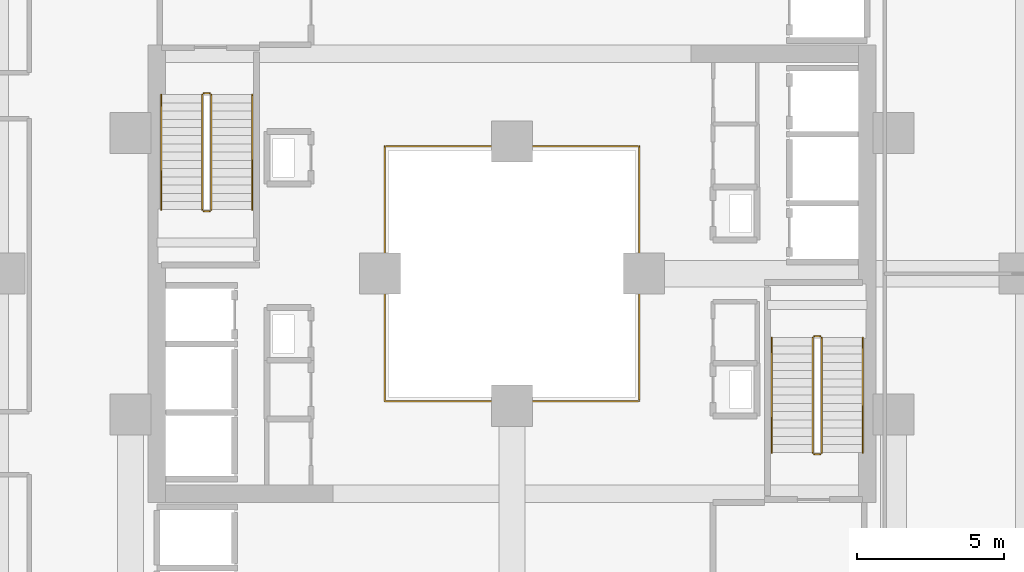
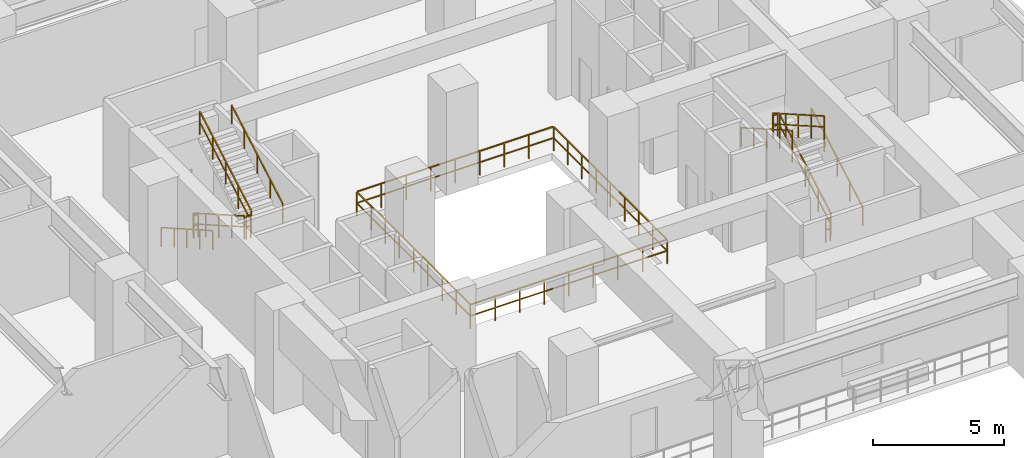
# One storey, part 25 of 25: 13 railings.
"""IFC4 building model written with IfcOpenShell, lengths in metres."""

from ifc_helpers import new_model, si_unit, direction, frame, origin, origin_2d, place, context, subcontext, project, spatial, rectangle, extrude, material, type_object, element, save


model = new_model("IFC4")

# Units and contexts
model_context = context("Model", 3, precision=1e-05, world=origin(), true_north=direction((0.0, 1.0)))
body_context = subcontext(model_context, "Body", "Model", "MODEL_VIEW")
ifc_project = project(units=[si_unit("LENGTHUNIT", "METRE"), si_unit("AREAUNIT", "SQUARE_METRE"), si_unit("VOLUMEUNIT", "CUBIC_METRE"), si_unit("PLANEANGLEUNIT", "RADIAN"), si_unit("MASSUNIT", "GRAM", prefix="KILO")], contexts=[model_context])

# Site, building, storey
site_placement = place(None, origin())
site = spatial("IfcSite", under=ifc_project, at=site_placement, CompositionType="ELEMENT")
building_placement = place(site_placement, origin())
building = spatial("IfcBuilding", under=site, at=building_placement, Name="Thornwick Lancets Civic Towers", CompositionType="ELEMENT")
storey_placement = place(building_placement, frame((0.0, 0.0, 23.10009765625)))
storey = spatial("IfcBuildingStorey", under=building, at=storey_placement, Name="L05", CompositionType="ELEMENT", Elevation=23.10009765625)

# Railings
ifc_material_1 = material(Name="Laminated glass and bronze steel S355", Category="steel")
railing_type_1 = type_object("IfcRailingType", Name="RAIL_ATRIUM_GUARD", PredefinedType="BALUSTRADE", material=ifc_material_1)
railing_1_placement = place(storey_placement, frame((84.159912109375, 22.659912109375, 0.0)))
element("IfcRailing", 1, at=railing_1_placement, inside=storey, type_object=railing_type_1, Name="L05 Tower B Central Atrium Guard Balustrade", PredefinedType="BALUSTRADE", context=body_context, shape_type="SweptSolid", body=[
    extrude(rectangle(XDim=0.048095703125, YDim=0.048095703125, at=origin_2d()), frame((0.0, 0.0, 1.1259765625), z_axis=(1.0, 0.0, 0.0), x_axis=(0.0, 1.0, 0.0)), (0.0, 0.0, 1.0), 8.64892578125),
    extrude(rectangle(XDim=0.0419921875, YDim=0.0419921875, at=origin_2d()), frame((0.03759765625, 0.0, 0.597900390625), z_axis=(1.0, 0.0, 0.0), x_axis=(0.0, 1.0, 0.0)), (0.0, 0.0, 1.0), 1.010009765625),
    extrude(rectangle(XDim=0.0419921875, YDim=0.0419921875, at=origin_2d()), frame((1.12255859375, 0.0, 0.597900390625), z_axis=(1.0, 0.0, 0.0), x_axis=(0.0, 1.0, 0.0)), (0.0, 0.0, 1.0), 1.010009765625),
    extrude(rectangle(XDim=0.0419921875, YDim=0.0419921875, at=origin_2d()), frame((2.20751953125, 0.0, 0.597900390625), z_axis=(1.0, 0.0, 0.0), x_axis=(0.0, 1.0, 0.0)), (0.0, 0.0, 1.0), 1.010009765625),
    extrude(rectangle(XDim=0.0419921875, YDim=0.0419921875, at=origin_2d()), frame((3.29248046875, 0.0, 0.597900390625), z_axis=(1.0, 0.0, 0.0), x_axis=(0.0, 1.0, 0.0)), (0.0, 0.0, 1.0), 1.010009765625),
    extrude(rectangle(XDim=0.0419921875, YDim=0.0419921875, at=origin_2d()), frame((4.377685546875, 0.0, 0.597900390625), z_axis=(1.0, 0.0, 0.0), x_axis=(0.0, 1.0, 0.0)), (0.0, 0.0, 1.0), 1.010009765625),
    extrude(rectangle(XDim=0.0419921875, YDim=0.0419921875, at=origin_2d()), frame((5.462646484375, 0.0, 0.597900390625), z_axis=(1.0, 0.0, 0.0), x_axis=(0.0, 1.0, 0.0)), (0.0, 0.0, 1.0), 1.010009765625),
    extrude(rectangle(XDim=0.0419921875, YDim=0.0419921875, at=origin_2d()), frame((6.547607421875, 0.0, 0.597900390625), z_axis=(1.0, 0.0, 0.0), x_axis=(0.0, 1.0, 0.0)), (0.0, 0.0, 1.0), 1.010009765625),
    extrude(rectangle(XDim=0.0419921875, YDim=0.0419921875, at=origin_2d()), frame((7.632568359375, 0.0, 0.597900390625), z_axis=(1.0, 0.0, 0.0), x_axis=(0.0, 1.0, 0.0)), (0.0, 0.0, 1.0), 1.010009765625),
    extrude(rectangle(XDim=0.048095703125, YDim=0.048095703125, at=origin_2d()), frame((8.68017578125, 0.03125, 1.1259765625), z_axis=(0.0, 1.0, 0.0), x_axis=(-1.0, 0.0, 0.0)), (0.0, 0.0, 1.0), 8.61767578125),
    extrude(rectangle(XDim=0.0419921875, YDim=0.0419921875, at=origin_2d()), frame((8.68017578125, 0.03759765625, 0.597900390625), z_axis=(0.0, 1.0, 0.0), x_axis=(-1.0, 0.0, 0.0)), (0.0, 0.0, 1.0), 1.010009765625),
    extrude(rectangle(XDim=0.0419921875, YDim=0.0419921875, at=origin_2d()), frame((8.68017578125, 1.12255859375, 0.597900390625), z_axis=(0.0, 1.0, 0.0), x_axis=(-1.0, 0.0, 0.0)), (0.0, 0.0, 1.0), 1.010009765625),
    extrude(rectangle(XDim=0.0419921875, YDim=0.0419921875, at=origin_2d()), frame((8.68017578125, 2.20751953125, 0.597900390625), z_axis=(0.0, 1.0, 0.0), x_axis=(-1.0, 0.0, 0.0)), (0.0, 0.0, 1.0), 1.010009765625),
    extrude(rectangle(XDim=0.0419921875, YDim=0.0419921875, at=origin_2d()), frame((8.68017578125, 3.29248046875, 0.597900390625), z_axis=(0.0, 1.0, 0.0), x_axis=(-1.0, 0.0, 0.0)), (0.0, 0.0, 1.0), 1.010009765625),
    extrude(rectangle(XDim=0.0419921875, YDim=0.0419921875, at=origin_2d()), frame((8.68017578125, 4.377685546875, 0.597900390625), z_axis=(0.0, 1.0, 0.0), x_axis=(-1.0, 0.0, 0.0)), (0.0, 0.0, 1.0), 1.010009765625),
    extrude(rectangle(XDim=0.0419921875, YDim=0.0419921875, at=origin_2d()), frame((8.68017578125, 5.462646484375, 0.597900390625), z_axis=(0.0, 1.0, 0.0), x_axis=(-1.0, 0.0, 0.0)), (0.0, 0.0, 1.0), 1.010009765625),
    extrude(rectangle(XDim=0.0419921875, YDim=0.0419921875, at=origin_2d()), frame((8.68017578125, 6.547607421875, 0.597900390625), z_axis=(0.0, 1.0, 0.0), x_axis=(-1.0, 0.0, 0.0)), (0.0, 0.0, 1.0), 1.010009765625),
    extrude(rectangle(XDim=0.0419921875, YDim=0.0419921875, at=origin_2d()), frame((8.68017578125, 7.632568359375, 0.597900390625), z_axis=(0.0, 1.0, 0.0), x_axis=(-1.0, 0.0, 0.0)), (0.0, 0.0, 1.0), 1.010009765625),
    extrude(rectangle(XDim=0.048095703125, YDim=0.048095703125, at=origin_2d()), frame((8.64892578125, 8.68017578125, 1.1259765625), z_axis=(-1.0, 0.0, 0.0), x_axis=(0.0, -1.0, 0.0)), (0.0, 0.0, 1.0), 8.61767578125),
    extrude(rectangle(XDim=0.0419921875, YDim=0.0419921875, at=origin_2d()), frame((8.642578125, 8.68017578125, 0.597900390625), z_axis=(-1.0, 0.0, 0.0), x_axis=(0.0, -1.0, 0.0)), (0.0, 0.0, 1.0), 1.010009765625),
    extrude(rectangle(XDim=0.0419921875, YDim=0.0419921875, at=origin_2d()), frame((7.5576171875, 8.68017578125, 0.597900390625), z_axis=(-1.0, 0.0, 0.0), x_axis=(0.0, -1.0, 0.0)), (0.0, 0.0, 1.0), 1.010009765625),
    extrude(rectangle(XDim=0.0419921875, YDim=0.0419921875, at=origin_2d()), frame((6.47265625, 8.68017578125, 0.597900390625), z_axis=(-1.0, 0.0, 0.0), x_axis=(0.0, -1.0, 0.0)), (0.0, 0.0, 1.0), 1.010009765625),
    extrude(rectangle(XDim=0.0419921875, YDim=0.0419921875, at=origin_2d()), frame((5.3876953125, 8.68017578125, 0.597900390625), z_axis=(-1.0, 0.0, 0.0), x_axis=(0.0, -1.0, 0.0)), (0.0, 0.0, 1.0), 1.010009765625),
    extrude(rectangle(XDim=0.0419921875, YDim=0.0419921875, at=origin_2d()), frame((4.302490234375, 8.68017578125, 0.597900390625), z_axis=(-1.0, 0.0, 0.0), x_axis=(0.0, -1.0, 0.0)), (0.0, 0.0, 1.0), 1.010009765625),
    extrude(rectangle(XDim=0.0419921875, YDim=0.0419921875, at=origin_2d()), frame((3.217529296875, 8.68017578125, 0.597900390625), z_axis=(-1.0, 0.0, 0.0), x_axis=(0.0, -1.0, 0.0)), (0.0, 0.0, 1.0), 1.010009765625),
    extrude(rectangle(XDim=0.0419921875, YDim=0.0419921875, at=origin_2d()), frame((2.132568359375, 8.68017578125, 0.597900390625), z_axis=(-1.0, 0.0, 0.0), x_axis=(0.0, -1.0, 0.0)), (0.0, 0.0, 1.0), 1.010009765625),
    extrude(rectangle(XDim=0.0419921875, YDim=0.0419921875, at=origin_2d()), frame((1.047607421875, 8.68017578125, 0.597900390625), z_axis=(-1.0, 0.0, 0.0), x_axis=(0.0, -1.0, 0.0)), (0.0, 0.0, 1.0), 1.010009765625),
    extrude(rectangle(XDim=0.048095703125, YDim=0.048095703125, at=origin_2d()), frame((0.0, 8.64892578125, 1.1259765625), z_axis=(0.0, -1.0, 0.0), x_axis=(1.0, 0.0, 0.0)), (0.0, 0.0, 1.0), 8.64892578125),
    extrude(rectangle(XDim=0.0419921875, YDim=0.0419921875, at=origin_2d()), frame((0.0, 8.642578125, 0.597900390625), z_axis=(0.0, -1.0, 0.0), x_axis=(1.0, 0.0, 0.0)), (0.0, 0.0, 1.0), 1.010009765625),
    extrude(rectangle(XDim=0.0419921875, YDim=0.0419921875, at=origin_2d()), frame((0.0, 7.5576171875, 0.597900390625), z_axis=(0.0, -1.0, 0.0), x_axis=(1.0, 0.0, 0.0)), (0.0, 0.0, 1.0), 1.010009765625),
    extrude(rectangle(XDim=0.0419921875, YDim=0.0419921875, at=origin_2d()), frame((0.0, 6.47265625, 0.597900390625), z_axis=(0.0, -1.0, 0.0), x_axis=(1.0, 0.0, 0.0)), (0.0, 0.0, 1.0), 1.010009765625),
    extrude(rectangle(XDim=0.0419921875, YDim=0.0419921875, at=origin_2d()), frame((0.0, 5.3876953125, 0.597900390625), z_axis=(0.0, -1.0, 0.0), x_axis=(1.0, 0.0, 0.0)), (0.0, 0.0, 1.0), 1.010009765625),
    extrude(rectangle(XDim=0.0419921875, YDim=0.0419921875, at=origin_2d()), frame((0.0, 4.302490234375, 0.597900390625), z_axis=(0.0, -1.0, 0.0), x_axis=(1.0, 0.0, 0.0)), (0.0, 0.0, 1.0), 1.010009765625),
    extrude(rectangle(XDim=0.0419921875, YDim=0.0419921875, at=origin_2d()), frame((0.0, 3.217529296875, 0.597900390625), z_axis=(0.0, -1.0, 0.0), x_axis=(1.0, 0.0, 0.0)), (0.0, 0.0, 1.0), 1.010009765625),
    extrude(rectangle(XDim=0.0419921875, YDim=0.0419921875, at=origin_2d()), frame((0.0, 2.132568359375, 0.597900390625), z_axis=(0.0, -1.0, 0.0), x_axis=(1.0, 0.0, 0.0)), (0.0, 0.0, 1.0), 1.010009765625),
    extrude(rectangle(XDim=0.0419921875, YDim=0.0419921875, at=origin_2d()), frame((0.0, 1.047607421875, 0.597900390625), z_axis=(0.0, -1.0, 0.0), x_axis=(1.0, 0.0, 0.0)), (0.0, 0.0, 1.0), 1.010009765625),
    extrude(rectangle(XDim=0.0419921875, YDim=0.0419921875, at=origin_2d()), origin(), (0.0, 0.0, 1.0), 1.095703125),
    extrude(rectangle(XDim=0.0419921875, YDim=0.0419921875, at=origin_2d()), frame((1.0849609375, 0.0, 0.0)), (0.0, 0.0, 1.0), 1.095703125),
    extrude(rectangle(XDim=0.0419921875, YDim=0.0419921875, at=origin_2d()), frame((2.169921875, 0.0, 0.0)), (0.0, 0.0, 1.0), 1.095703125),
    extrude(rectangle(XDim=0.0419921875, YDim=0.0419921875, at=origin_2d()), frame((3.255126953125, 0.0, 0.0)), (0.0, 0.0, 1.0), 1.095703125),
    extrude(rectangle(XDim=0.0419921875, YDim=0.0419921875, at=origin_2d()), frame((4.340087890625, 0.0, 0.0)), (0.0, 0.0, 1.0), 1.095703125),
    extrude(rectangle(XDim=0.0419921875, YDim=0.0419921875, at=origin_2d()), frame((5.425048828125, 0.0, 0.0)), (0.0, 0.0, 1.0), 1.095703125),
    extrude(rectangle(XDim=0.0419921875, YDim=0.0419921875, at=origin_2d()), frame((6.51025390625, 0.0, 0.0)), (0.0, 0.0, 1.0), 1.095703125),
    extrude(rectangle(XDim=0.0419921875, YDim=0.0419921875, at=origin_2d()), frame((7.59521484375, 0.0, 0.0)), (0.0, 0.0, 1.0), 1.095703125),
    extrude(rectangle(XDim=0.0419921875, YDim=0.0419921875, at=origin_2d()), frame((8.68017578125, 0.0, 0.0)), (0.0, 0.0, 1.0), 1.095703125),
    extrude(rectangle(XDim=0.0419921875, YDim=0.0419921875, at=origin_2d()), frame((8.68017578125, 1.0849609375, 0.0)), (0.0, 0.0, 1.0), 1.095703125),
    extrude(rectangle(XDim=0.0419921875, YDim=0.0419921875, at=origin_2d()), frame((8.68017578125, 2.169921875, 0.0)), (0.0, 0.0, 1.0), 1.095703125),
    extrude(rectangle(XDim=0.0419921875, YDim=0.0419921875, at=origin_2d()), frame((8.68017578125, 3.255126953125, 0.0)), (0.0, 0.0, 1.0), 1.095703125),
    extrude(rectangle(XDim=0.0419921875, YDim=0.0419921875, at=origin_2d()), frame((8.68017578125, 4.340087890625, 0.0)), (0.0, 0.0, 1.0), 1.095703125),
    extrude(rectangle(XDim=0.0419921875, YDim=0.0419921875, at=origin_2d()), frame((8.68017578125, 5.425048828125, 0.0)), (0.0, 0.0, 1.0), 1.095703125),
    extrude(rectangle(XDim=0.0419921875, YDim=0.0419921875, at=origin_2d()), frame((8.68017578125, 6.51025390625, 0.0)), (0.0, 0.0, 1.0), 1.095703125),
    extrude(rectangle(XDim=0.0419921875, YDim=0.0419921875, at=origin_2d()), frame((8.68017578125, 7.59521484375, 0.0)), (0.0, 0.0, 1.0), 1.095703125),
    extrude(rectangle(XDim=0.0419921875, YDim=0.0419921875, at=origin_2d()), frame((8.68017578125, 8.68017578125, 0.0)), (0.0, 0.0, 1.0), 1.095703125),
    extrude(rectangle(XDim=0.0419921875, YDim=0.0419921875, at=origin_2d()), frame((7.59521484375, 8.68017578125, 0.0)), (0.0, 0.0, 1.0), 1.095703125),
    extrude(rectangle(XDim=0.0419921875, YDim=0.0419921875, at=origin_2d()), frame((6.51025390625, 8.68017578125, 0.0)), (0.0, 0.0, 1.0), 1.095703125),
    extrude(rectangle(XDim=0.0419921875, YDim=0.0419921875, at=origin_2d()), frame((5.425048828125, 8.68017578125, 0.0)), (0.0, 0.0, 1.0), 1.095703125),
    extrude(rectangle(XDim=0.0419921875, YDim=0.0419921875, at=origin_2d()), frame((4.340087890625, 8.68017578125, 0.0)), (0.0, 0.0, 1.0), 1.095703125),
    extrude(rectangle(XDim=0.0419921875, YDim=0.0419921875, at=origin_2d()), frame((3.255126953125, 8.68017578125, 0.0)), (0.0, 0.0, 1.0), 1.095703125),
    extrude(rectangle(XDim=0.0419921875, YDim=0.0419921875, at=origin_2d()), frame((2.169921875, 8.68017578125, 0.0)), (0.0, 0.0, 1.0), 1.095703125),
    extrude(rectangle(XDim=0.0419921875, YDim=0.0419921875, at=origin_2d()), frame((1.0849609375, 8.68017578125, 0.0)), (0.0, 0.0, 1.0), 1.095703125),
    extrude(rectangle(XDim=0.0419921875, YDim=0.0419921875, at=origin_2d()), frame((0.0, 8.68017578125, 0.0)), (0.0, 0.0, 1.0), 1.095703125),
    extrude(rectangle(XDim=0.0419921875, YDim=0.0419921875, at=origin_2d()), frame((0.0, 7.59521484375, 0.0)), (0.0, 0.0, 1.0), 1.095703125),
    extrude(rectangle(XDim=0.0419921875, YDim=0.0419921875, at=origin_2d()), frame((0.0, 6.51025390625, 0.0)), (0.0, 0.0, 1.0), 1.095703125),
    extrude(rectangle(XDim=0.0419921875, YDim=0.0419921875, at=origin_2d()), frame((0.0, 5.425048828125, 0.0)), (0.0, 0.0, 1.0), 1.095703125),
    extrude(rectangle(XDim=0.0419921875, YDim=0.0419921875, at=origin_2d()), frame((0.0, 4.340087890625, 0.0)), (0.0, 0.0, 1.0), 1.095703125),
    extrude(rectangle(XDim=0.0419921875, YDim=0.0419921875, at=origin_2d()), frame((0.0, 3.255126953125, 0.0)), (0.0, 0.0, 1.0), 1.095703125),
    extrude(rectangle(XDim=0.0419921875, YDim=0.0419921875, at=origin_2d()), frame((0.0, 2.169921875, 0.0)), (0.0, 0.0, 1.0), 1.095703125),
    extrude(rectangle(XDim=0.0419921875, YDim=0.0419921875, at=origin_2d()), frame((0.0, 1.0849609375, 0.0)), (0.0, 0.0, 1.0), 1.095703125),
])
ifc_material_2 = material(Name="Brushed stainless steel S355", Category="steel")
railing_type_2 = type_object("IfcRailingType", Name="RAIL_HANDRAIL", PredefinedType="HANDRAIL", material=ifc_material_2)
railing_2_placement = place(storey_placement, frame((100.449951171875, 20.89990234375, 0.159912109375)))
element("IfcRailing", 2, at=railing_2_placement, inside=storey, type_object=railing_type_2, Name="L05 ST-B1 stair handrail 1", PredefinedType="HANDRAIL", context=body_context, shape_type="SweptSolid", body=[
    extrude(rectangle(XDim=0.048095703125, YDim=0.048095703125, at=origin_2d()), frame((0.0, 0.0, 0.8857421875), z_axis=(0.0, 0.86825312469, 0.496121468458), x_axis=(-1.0, 0.0, 0.0)), (0.0, 0.0, 1.0), 4.514892578125),
    extrude(rectangle(XDim=0.0419921875, YDim=0.0419921875, at=origin_2d()), origin(), (0.0, 0.0, 1.0), 0.855712890625),
    extrude(rectangle(XDim=0.0419921875, YDim=0.0419921875, at=origin_2d()), frame((0.0, 0.97998046875, 0.56005859375)), (0.0, 0.0, 1.0), 0.855712890625),
    extrude(rectangle(XDim=0.0419921875, YDim=0.0419921875, at=origin_2d()), frame((0.0, 1.9599609375, 1.1201171875)), (0.0, 0.0, 1.0), 0.855712890625),
    extrude(rectangle(XDim=0.0419921875, YDim=0.0419921875, at=origin_2d()), frame((0.0, 2.940185546875, 1.679931640625)), (0.0, 0.0, 1.0), 0.855712890625),
    extrude(rectangle(XDim=0.0419921875, YDim=0.0419921875, at=origin_2d()), frame((0.0, 3.920166015625, 2.239990234375)), (0.0, 0.0, 1.0), 0.855712890625),
])
for number, where, name in (
    (3, (97.35009765625, 24.820068359375, 2.559814453125), "L05 ST-B1 stair handrail 2"),
    (4, (76.550048828125, 33.10009765625, 0.159912109375), "L05 ST-B2 stair handrail 1"),
):
    element("IfcRailing", number, at=place(storey_placement, frame(where)), inside=storey, type_object=railing_type_2, Name=name, PredefinedType="HANDRAIL", context=body_context, shape_type="SweptSolid", body=[
        extrude(rectangle(XDim=0.048095703125, YDim=0.048095703125, at=origin_2d()), frame((0.0, 0.0, 0.8857421875), z_axis=(0.0, -0.86825312469, 0.496121468458), x_axis=(1.0, 0.0, 0.0)), (0.0, 0.0, 1.0), 4.514892578125),
        extrude(rectangle(XDim=0.0419921875, YDim=0.0419921875, at=origin_2d()), origin(), (0.0, 0.0, 1.0), 0.855712890625),
        extrude(rectangle(XDim=0.0419921875, YDim=0.0419921875, at=origin_2d()), frame((0.0, -0.97998046875, 0.56005859375)), (0.0, 0.0, 1.0), 0.855712890625),
        extrude(rectangle(XDim=0.0419921875, YDim=0.0419921875, at=origin_2d()), frame((0.0, -1.9599609375, 1.1201171875)), (0.0, 0.0, 1.0), 0.855712890625),
        extrude(rectangle(XDim=0.0419921875, YDim=0.0419921875, at=origin_2d()), frame((0.0, -2.940185546875, 1.679931640625)), (0.0, 0.0, 1.0), 0.855712890625),
        extrude(rectangle(XDim=0.0419921875, YDim=0.0419921875, at=origin_2d()), frame((0.0, -3.920166015625, 2.239990234375)), (0.0, 0.0, 1.0), 0.855712890625),
    ])
railing_3_placement = place(storey_placement, frame((79.64990234375, 29.179931640625, 2.559814453125)))
element("IfcRailing", 5, at=railing_3_placement, inside=storey, type_object=railing_type_2, Name="L05 ST-B2 stair handrail 2", PredefinedType="HANDRAIL", context=body_context, shape_type="SweptSolid", body=[
    extrude(rectangle(XDim=0.048095703125, YDim=0.048095703125, at=origin_2d()), frame((0.0, 0.0, 0.8857421875), z_axis=(0.0, 0.86825312469, 0.496121468458), x_axis=(-1.0, 0.0, 0.0)), (0.0, 0.0, 1.0), 4.514892578125),
    extrude(rectangle(XDim=0.0419921875, YDim=0.0419921875, at=origin_2d()), origin(), (0.0, 0.0, 1.0), 0.855712890625),
    extrude(rectangle(XDim=0.0419921875, YDim=0.0419921875, at=origin_2d()), frame((0.0, 0.97998046875, 0.56005859375)), (0.0, 0.0, 1.0), 0.855712890625),
    extrude(rectangle(XDim=0.0419921875, YDim=0.0419921875, at=origin_2d()), frame((0.0, 1.9599609375, 1.1201171875)), (0.0, 0.0, 1.0), 0.855712890625),
    extrude(rectangle(XDim=0.0419921875, YDim=0.0419921875, at=origin_2d()), frame((0.0, 2.940185546875, 1.679931640625)), (0.0, 0.0, 1.0), 0.855712890625),
    extrude(rectangle(XDim=0.0419921875, YDim=0.0419921875, at=origin_2d()), frame((0.0, 3.920166015625, 2.239990234375)), (0.0, 0.0, 1.0), 0.855712890625),
])
ifc_material_3 = material(Name="Steel S355JR", Category="steel")
railing_type_3 = type_object("IfcRailingType", Name="RAIL_STAIR_GUARD", PredefinedType="GUARDRAIL", material=ifc_material_3)
railing_4_placement = place(storey_placement, frame((99.050048828125, 20.89990234375, 0.159912109375)))
element("IfcRailing", 6, at=railing_4_placement, inside=storey, type_object=railing_type_3, Name="L05 ST-B1 stair guard 1", PredefinedType="GUARDRAIL", context=body_context, shape_type="SweptSolid", body=[
    extrude(rectangle(XDim=0.048095703125, YDim=0.048095703125, at=origin_2d()), frame((0.0, 0.0, 1.076171875), z_axis=(0.0, 0.86825312469, 0.496121468458), x_axis=(-1.0, 0.0, 0.0)), (0.0, 0.0, 1.0), 4.514892578125),
    extrude(rectangle(XDim=0.0419921875, YDim=0.0419921875, at=origin_2d()), frame((0.0, 0.032470703125, 0.590576171875), z_axis=(0.0, 0.86825312469, 0.496121468458), x_axis=(-1.0, 0.0, 0.0)), (0.0, 0.0, 1.0), 1.0537109375),
    extrude(rectangle(XDim=0.0419921875, YDim=0.0419921875, at=origin_2d()), frame((0.0, 1.0126953125, 1.150634765625), z_axis=(0.0, 0.86825312469, 0.496121468458), x_axis=(-1.0, 0.0, 0.0)), (0.0, 0.0, 1.0), 1.0537109375),
    extrude(rectangle(XDim=0.0419921875, YDim=0.0419921875, at=origin_2d()), frame((0.0, 1.99267578125, 1.710693359375), z_axis=(0.0, 0.86825312469, 0.496121468458), x_axis=(-1.0, 0.0, 0.0)), (0.0, 0.0, 1.0), 1.0537109375),
    extrude(rectangle(XDim=0.0419921875, YDim=0.0419921875, at=origin_2d()), frame((0.0, 2.97265625, 2.270751953125), z_axis=(0.0, 0.86825312469, 0.496121468458), x_axis=(-1.0, 0.0, 0.0)), (0.0, 0.0, 1.0), 1.0537109375),
    extrude(rectangle(XDim=0.0419921875, YDim=0.0419921875, at=origin_2d()), origin(), (0.0, 0.0, 1.0), 1.0458984375),
    extrude(rectangle(XDim=0.0419921875, YDim=0.0419921875, at=origin_2d()), frame((0.0, 0.97998046875, 0.56005859375)), (0.0, 0.0, 1.0), 1.0458984375),
    extrude(rectangle(XDim=0.0419921875, YDim=0.0419921875, at=origin_2d()), frame((0.0, 1.9599609375, 1.1201171875)), (0.0, 0.0, 1.0), 1.0458984375),
    extrude(rectangle(XDim=0.0419921875, YDim=0.0419921875, at=origin_2d()), frame((0.0, 2.940185546875, 1.679931640625)), (0.0, 0.0, 1.0), 1.0458984375),
    extrude(rectangle(XDim=0.0419921875, YDim=0.0419921875, at=origin_2d()), frame((0.0, 3.920166015625, 2.239990234375)), (0.0, 0.0, 1.0), 1.0458984375),
])
railing_5_placement = place(storey_placement, frame((99.0, 24.8701171875, 2.39990234375)))
element("IfcRailing", 7, at=railing_5_placement, inside=storey, type_object=railing_type_3, Name="L05 ST-B1 stair guard 2", PredefinedType="GUARDRAIL", context=body_context, shape_type="SweptSolid", body=[
    extrude(rectangle(XDim=0.048095703125, YDim=0.048095703125, at=origin_2d()), frame((0.0, 0.0, 1.076171875), z_axis=(-1.0, 0.0, 0.0), x_axis=(0.0, -1.0, 0.0)), (0.0, 0.0, 1.0), 0.199951171875),
    extrude(rectangle(XDim=0.0419921875, YDim=0.0419921875, at=origin_2d()), frame((-0.03759765625, 0.0, 0.572021484375), z_axis=(-1.0, 0.0, 0.0), x_axis=(0.0, -1.0, 0.0)), (0.0, 0.0, 1.0), 0.125),
    extrude(rectangle(XDim=0.0419921875, YDim=0.0419921875, at=origin_2d()), origin(), (0.0, 0.0, 1.0), 1.0458984375),
    extrude(rectangle(XDim=0.0419921875, YDim=0.0419921875, at=origin_2d()), frame((-0.199951171875, 0.0, 0.0)), (0.0, 0.0, 1.0), 1.0458984375),
])
railing_6_placement = place(storey_placement, frame((98.75, 24.820068359375, 2.559814453125)))
element("IfcRailing", 8, at=railing_6_placement, inside=storey, type_object=railing_type_3, Name="L05 ST-B1 stair guard 3", PredefinedType="GUARDRAIL", context=body_context, shape_type="SweptSolid", body=[
    extrude(rectangle(XDim=0.048095703125, YDim=0.048095703125, at=origin_2d()), frame((0.0, 0.0, 1.076171875), z_axis=(0.0, -0.86825312469, 0.496121468458), x_axis=(1.0, 0.0, 0.0)), (0.0, 0.0, 1.0), 4.514892578125),
    extrude(rectangle(XDim=0.0419921875, YDim=0.0419921875, at=origin_2d()), frame((0.0, -0.032470703125, 0.590576171875), z_axis=(0.0, -0.86825312469, 0.496121468458), x_axis=(1.0, 0.0, 0.0)), (0.0, 0.0, 1.0), 1.0537109375),
    extrude(rectangle(XDim=0.0419921875, YDim=0.0419921875, at=origin_2d()), frame((0.0, -1.0126953125, 1.150634765625), z_axis=(0.0, -0.86825312469, 0.496121468458), x_axis=(1.0, 0.0, 0.0)), (0.0, 0.0, 1.0), 1.0537109375),
    extrude(rectangle(XDim=0.0419921875, YDim=0.0419921875, at=origin_2d()), frame((0.0, -1.99267578125, 1.710693359375), z_axis=(0.0, -0.86825312469, 0.496121468458), x_axis=(1.0, 0.0, 0.0)), (0.0, 0.0, 1.0), 1.0537109375),
    extrude(rectangle(XDim=0.0419921875, YDim=0.0419921875, at=origin_2d()), frame((0.0, -2.97265625, 2.270751953125), z_axis=(0.0, -0.86825312469, 0.496121468458), x_axis=(1.0, 0.0, 0.0)), (0.0, 0.0, 1.0), 1.0537109375),
    extrude(rectangle(XDim=0.0419921875, YDim=0.0419921875, at=origin_2d()), origin(), (0.0, 0.0, 1.0), 1.0458984375),
    extrude(rectangle(XDim=0.0419921875, YDim=0.0419921875, at=origin_2d()), frame((0.0, -0.97998046875, 0.56005859375)), (0.0, 0.0, 1.0), 1.0458984375),
    extrude(rectangle(XDim=0.0419921875, YDim=0.0419921875, at=origin_2d()), frame((0.0, -1.9599609375, 1.1201171875)), (0.0, 0.0, 1.0), 1.0458984375),
    extrude(rectangle(XDim=0.0419921875, YDim=0.0419921875, at=origin_2d()), frame((0.0, -2.940185546875, 1.679931640625)), (0.0, 0.0, 1.0), 1.0458984375),
    extrude(rectangle(XDim=0.0419921875, YDim=0.0419921875, at=origin_2d()), frame((0.0, -3.920166015625, 2.239990234375)), (0.0, 0.0, 1.0), 1.0458984375),
])
railing_7_placement = place(storey_placement, frame((99.0, 20.85009765625, 0.0)))
element("IfcRailing", 9, at=railing_7_placement, inside=storey, type_object=railing_type_3, Name="L05 ST-B1 stair guard 4", PredefinedType="GUARDRAIL", context=body_context, shape_type="SweptSolid", body=[
    extrude(rectangle(XDim=0.048095703125, YDim=0.048095703125, at=origin_2d()), frame((0.0, 0.0, 1.076171875), z_axis=(-1.0, 0.0, 0.0), x_axis=(0.0, -1.0, 0.0)), (0.0, 0.0, 1.0), 0.199951171875),
    extrude(rectangle(XDim=0.0419921875, YDim=0.0419921875, at=origin_2d()), frame((-0.03759765625, 0.0, 0.572021484375), z_axis=(-1.0, 0.0, 0.0), x_axis=(0.0, -1.0, 0.0)), (0.0, 0.0, 1.0), 0.125),
    extrude(rectangle(XDim=0.0419921875, YDim=0.0419921875, at=origin_2d()), origin(), (0.0, 0.0, 1.0), 1.0458984375),
    extrude(rectangle(XDim=0.0419921875, YDim=0.0419921875, at=origin_2d()), frame((-0.199951171875, 0.0, 0.0)), (0.0, 0.0, 1.0), 1.0458984375),
])
railing_8_placement = place(storey_placement, frame((77.949951171875, 33.10009765625, 0.159912109375)))
element("IfcRailing", 10, at=railing_8_placement, inside=storey, type_object=railing_type_3, Name="L05 ST-B2 stair guard 1", PredefinedType="GUARDRAIL", context=body_context, shape_type="SweptSolid", body=[
    extrude(rectangle(XDim=0.048095703125, YDim=0.048095703125, at=origin_2d()), frame((0.0, 0.0, 1.076171875), z_axis=(0.0, -0.86825312469, 0.496121468458), x_axis=(1.0, 0.0, 0.0)), (0.0, 0.0, 1.0), 4.514892578125),
    extrude(rectangle(XDim=0.0419921875, YDim=0.0419921875, at=origin_2d()), frame((0.0, -0.032470703125, 0.590576171875), z_axis=(0.0, -0.86825312469, 0.496121468458), x_axis=(1.0, 0.0, 0.0)), (0.0, 0.0, 1.0), 1.0537109375),
    extrude(rectangle(XDim=0.0419921875, YDim=0.0419921875, at=origin_2d()), frame((0.0, -1.0126953125, 1.150634765625), z_axis=(0.0, -0.86825312469, 0.496121468458), x_axis=(1.0, 0.0, 0.0)), (0.0, 0.0, 1.0), 1.0537109375),
    extrude(rectangle(XDim=0.0419921875, YDim=0.0419921875, at=origin_2d()), frame((0.0, -1.99267578125, 1.710693359375), z_axis=(0.0, -0.86825312469, 0.496121468458), x_axis=(1.0, 0.0, 0.0)), (0.0, 0.0, 1.0), 1.0537109375),
    extrude(rectangle(XDim=0.0419921875, YDim=0.0419921875, at=origin_2d()), frame((0.0, -2.97265625, 2.270751953125), z_axis=(0.0, -0.86825312469, 0.496121468458), x_axis=(1.0, 0.0, 0.0)), (0.0, 0.0, 1.0), 1.0537109375),
    extrude(rectangle(XDim=0.0419921875, YDim=0.0419921875, at=origin_2d()), origin(), (0.0, 0.0, 1.0), 1.0458984375),
    extrude(rectangle(XDim=0.0419921875, YDim=0.0419921875, at=origin_2d()), frame((0.0, -0.97998046875, 0.56005859375)), (0.0, 0.0, 1.0), 1.0458984375),
    extrude(rectangle(XDim=0.0419921875, YDim=0.0419921875, at=origin_2d()), frame((0.0, -1.9599609375, 1.1201171875)), (0.0, 0.0, 1.0), 1.0458984375),
    extrude(rectangle(XDim=0.0419921875, YDim=0.0419921875, at=origin_2d()), frame((0.0, -2.940185546875, 1.679931640625)), (0.0, 0.0, 1.0), 1.0458984375),
    extrude(rectangle(XDim=0.0419921875, YDim=0.0419921875, at=origin_2d()), frame((0.0, -3.920166015625, 2.239990234375)), (0.0, 0.0, 1.0), 1.0458984375),
])
railing_9_placement = place(storey_placement, frame((78.0, 29.1298828125, 2.39990234375)))
element("IfcRailing", 11, at=railing_9_placement, inside=storey, type_object=railing_type_3, Name="L05 ST-B2 stair guard 2", PredefinedType="GUARDRAIL", context=body_context, shape_type="SweptSolid", body=[
    extrude(rectangle(XDim=0.048095703125, YDim=0.048095703125, at=origin_2d()), frame((0.0, 0.0, 1.076171875), z_axis=(1.0, 0.0, 0.0), x_axis=(0.0, 1.0, 0.0)), (0.0, 0.0, 1.0), 0.199951171875),
    extrude(rectangle(XDim=0.0419921875, YDim=0.0419921875, at=origin_2d()), frame((0.03759765625, 0.0, 0.572021484375), z_axis=(1.0, 0.0, 0.0), x_axis=(0.0, 1.0, 0.0)), (0.0, 0.0, 1.0), 0.125),
    extrude(rectangle(XDim=0.0419921875, YDim=0.0419921875, at=origin_2d()), origin(), (0.0, 0.0, 1.0), 1.0458984375),
    extrude(rectangle(XDim=0.0419921875, YDim=0.0419921875, at=origin_2d()), frame((0.199951171875, 0.0, 0.0)), (0.0, 0.0, 1.0), 1.0458984375),
])
railing_10_placement = place(storey_placement, frame((78.25, 29.179931640625, 2.559814453125)))
element("IfcRailing", 12, at=railing_10_placement, inside=storey, type_object=railing_type_3, Name="L05 ST-B2 stair guard 3", PredefinedType="GUARDRAIL", context=body_context, shape_type="SweptSolid", body=[
    extrude(rectangle(XDim=0.048095703125, YDim=0.048095703125, at=origin_2d()), frame((0.0, 0.0, 1.076171875), z_axis=(0.0, 0.86825312469, 0.496121468458), x_axis=(-1.0, 0.0, 0.0)), (0.0, 0.0, 1.0), 4.514892578125),
    extrude(rectangle(XDim=0.0419921875, YDim=0.0419921875, at=origin_2d()), frame((0.0, 0.032470703125, 0.590576171875), z_axis=(0.0, 0.86825312469, 0.496121468458), x_axis=(-1.0, 0.0, 0.0)), (0.0, 0.0, 1.0), 1.0537109375),
    extrude(rectangle(XDim=0.0419921875, YDim=0.0419921875, at=origin_2d()), frame((0.0, 1.0126953125, 1.150634765625), z_axis=(0.0, 0.86825312469, 0.496121468458), x_axis=(-1.0, 0.0, 0.0)), (0.0, 0.0, 1.0), 1.0537109375),
    extrude(rectangle(XDim=0.0419921875, YDim=0.0419921875, at=origin_2d()), frame((0.0, 1.99267578125, 1.710693359375), z_axis=(0.0, 0.86825312469, 0.496121468458), x_axis=(-1.0, 0.0, 0.0)), (0.0, 0.0, 1.0), 1.0537109375),
    extrude(rectangle(XDim=0.0419921875, YDim=0.0419921875, at=origin_2d()), frame((0.0, 2.97265625, 2.270751953125), z_axis=(0.0, 0.86825312469, 0.496121468458), x_axis=(-1.0, 0.0, 0.0)), (0.0, 0.0, 1.0), 1.0537109375),
    extrude(rectangle(XDim=0.0419921875, YDim=0.0419921875, at=origin_2d()), origin(), (0.0, 0.0, 1.0), 1.0458984375),
    extrude(rectangle(XDim=0.0419921875, YDim=0.0419921875, at=origin_2d()), frame((0.0, 0.97998046875, 0.56005859375)), (0.0, 0.0, 1.0), 1.0458984375),
    extrude(rectangle(XDim=0.0419921875, YDim=0.0419921875, at=origin_2d()), frame((0.0, 1.9599609375, 1.1201171875)), (0.0, 0.0, 1.0), 1.0458984375),
    extrude(rectangle(XDim=0.0419921875, YDim=0.0419921875, at=origin_2d()), frame((0.0, 2.940185546875, 1.679931640625)), (0.0, 0.0, 1.0), 1.0458984375),
    extrude(rectangle(XDim=0.0419921875, YDim=0.0419921875, at=origin_2d()), frame((0.0, 3.920166015625, 2.239990234375)), (0.0, 0.0, 1.0), 1.0458984375),
])
railing_11_placement = place(storey_placement, frame((78.0, 33.14990234375, 0.0)))
element("IfcRailing", 13, at=railing_11_placement, inside=storey, type_object=railing_type_3, Name="L05 ST-B2 stair guard 4", PredefinedType="GUARDRAIL", context=body_context, shape_type="SweptSolid", body=[
    extrude(rectangle(XDim=0.048095703125, YDim=0.048095703125, at=origin_2d()), frame((0.0, 0.0, 1.076171875), z_axis=(1.0, 0.0, 0.0), x_axis=(0.0, 1.0, 0.0)), (0.0, 0.0, 1.0), 0.199951171875),
    extrude(rectangle(XDim=0.0419921875, YDim=0.0419921875, at=origin_2d()), frame((0.03759765625, 0.0, 0.572021484375), z_axis=(1.0, 0.0, 0.0), x_axis=(0.0, 1.0, 0.0)), (0.0, 0.0, 1.0), 0.125),
    extrude(rectangle(XDim=0.0419921875, YDim=0.0419921875, at=origin_2d()), origin(), (0.0, 0.0, 1.0), 1.0458984375),
    extrude(rectangle(XDim=0.0419921875, YDim=0.0419921875, at=origin_2d()), frame((0.199951171875, 0.0, 0.0)), (0.0, 0.0, 1.0), 1.0458984375),
])

save(model, "model.ifc")
